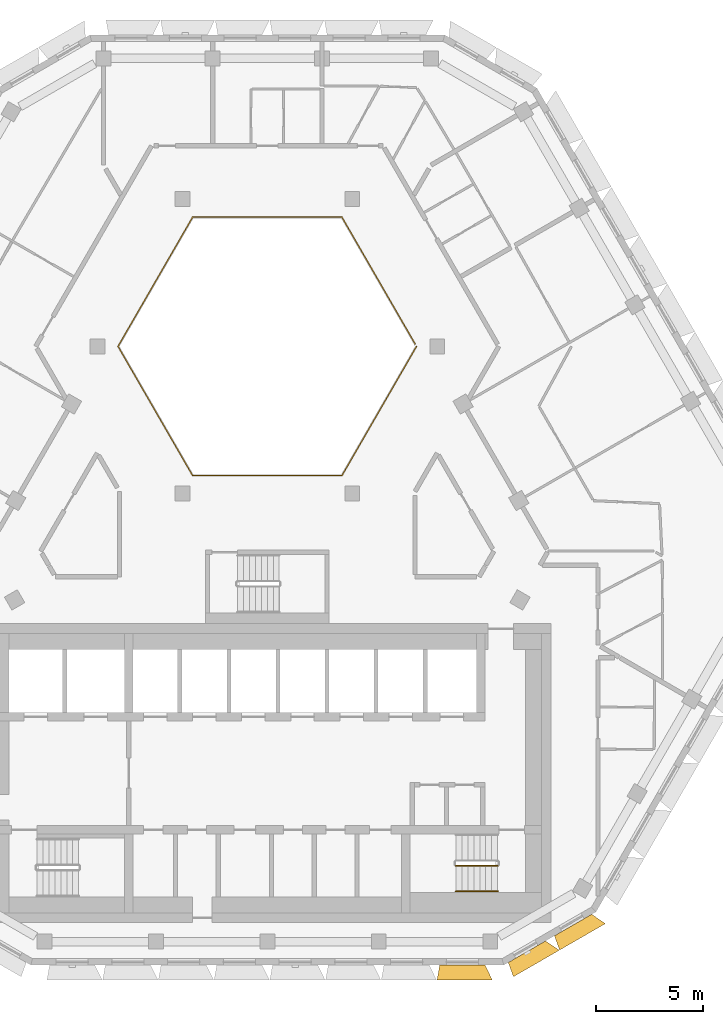
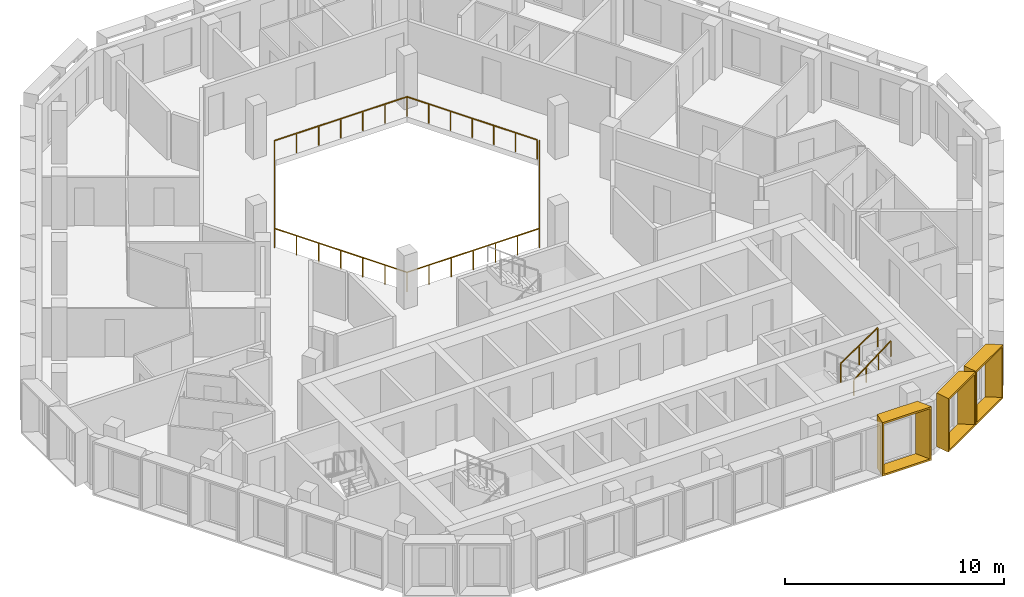
# One storey, part 14 of 16: 3 railings, 3 shading devices.
"""IFC4 building model written with IfcOpenShell, lengths in metres."""

from ifc_helpers import new_model, entity, si_unit, direction, frame, origin, origin_2d, place, context, subcontext, project, spatial, rectangle, extrude, source, transform, mapped, material, type_object, type_shapes, element, save


model = new_model("IFC4")

# Units and contexts
model_context = context("Model", 3, precision=1e-05, world=origin(), true_north=direction((0.0, 1.0)))
body_context = subcontext(model_context, "Body", "Model", "MODEL_VIEW")
ifc_project = project(units=[si_unit("LENGTHUNIT", "METRE"), si_unit("AREAUNIT", "SQUARE_METRE"), si_unit("VOLUMEUNIT", "CUBIC_METRE"), si_unit("PLANEANGLEUNIT", "RADIAN"), si_unit("MASSUNIT", "GRAM", prefix="KILO")], contexts=[model_context])

# Site, building, storey
site_placement = place(None, origin())
site = spatial("IfcSite", under=ifc_project, at=site_placement, CompositionType="ELEMENT")
building_placement = place(site_placement, origin())
building = spatial("IfcBuilding", under=site, at=building_placement, Name="Beryl Residences", CompositionType="ELEMENT")
storey_placement = place(building_placement, frame((0.0, 0.0, 226.800048828125)))
storey = spatial("IfcBuildingStorey", under=building, at=storey_placement, Name="L70", CompositionType="ELEMENT", Elevation=226.800048828125)

# Railing
ifc_material_1 = material(Name="Stainless steel balustrade with glass infill", Category="steel")
railing_type_1 = type_object("IfcRailingType", Name="EG1 edge guard 1100 mm", PredefinedType="GUARDRAIL", material=ifc_material_1)
railing_1_placement = place(storey_placement, frame((6.9970703125, 8.0, 0.0)))
element("IfcRailing", 1, at=railing_1_placement, inside=storey, type_object=railing_type_1, Name="L70 atrium guard", PredefinedType="GUARDRAIL", context=body_context, shape_type="SweptSolid", body=[
    extrude(rectangle(XDim=0.048095703125, YDim=0.048095703125, at=origin_2d()), frame((0.0, 0.0, 1.076171875), z_axis=(-0.499921796684, -0.866070549782, 0.0), x_axis=(0.866070549782, -0.499921796684, 0.0)), (0.0, 0.0, 1.0), 6.9970703125),
    extrude(rectangle(XDim=0.048095703125, YDim=0.048095703125, at=origin_2d()), frame((-3.498046875, -6.06005859375, 1.076171875), z_axis=(-1.0, 0.0, 0.0), x_axis=(0.0, -1.0, 0.0)), (0.0, 0.0, 1.0), 6.998046875),
    extrude(rectangle(XDim=0.048095703125, YDim=0.048095703125, at=origin_2d()), frame((-10.49609375, -6.06005859375, 1.076171875), z_axis=(-0.499921796684, 0.866070549782, 0.0), x_axis=(-0.866070549782, -0.499921796684, 0.0)), (0.0, 0.0, 1.0), 6.9970703125),
    extrude(rectangle(XDim=0.048095703125, YDim=0.048095703125, at=origin_2d()), frame((-13.994140625, 0.0, 1.076171875), z_axis=(0.499921796684, 0.866070549782, 0.0), x_axis=(-0.866070549782, 0.499921796684, 0.0)), (0.0, 0.0, 1.0), 6.9970703125),
    extrude(rectangle(XDim=0.048095703125, YDim=0.048095703125, at=origin_2d()), frame((-10.49609375, 6.06005859375, 1.076171875), z_axis=(1.0, 0.0, 0.0), x_axis=(0.0, 1.0, 0.0)), (0.0, 0.0, 1.0), 6.998046875),
    extrude(rectangle(XDim=0.048095703125, YDim=0.048095703125, at=origin_2d()), frame((-3.498046875, 6.06005859375, 1.076171875), z_axis=(0.499919131929, -0.866072087953, 0.0), x_axis=(0.866072087953, 0.499919131929, 0.0)), (0.0, 0.0, 1.0), 6.877197265625),
    extrude(rectangle(XDim=0.0419921875, YDim=0.0419921875, at=origin_2d()), origin(), (0.0, 0.0, 1.0), 1.052001953125),
    extrude(rectangle(XDim=0.0419921875, YDim=0.0419921875, at=origin_2d()), frame((-0.5830078125, -1.010009765625, 0.0)), (0.0, 0.0, 1.0), 1.052001953125),
    extrude(rectangle(XDim=0.0419921875, YDim=0.0419921875, at=origin_2d()), frame((-1.166015625, -2.02001953125, 0.0)), (0.0, 0.0, 1.0), 1.052001953125),
    extrude(rectangle(XDim=0.0419921875, YDim=0.0419921875, at=origin_2d()), frame((-1.7490234375, -3.030029296875, 0.0)), (0.0, 0.0, 1.0), 1.052001953125),
    extrude(rectangle(XDim=0.0419921875, YDim=0.0419921875, at=origin_2d()), frame((-2.33203125, -4.0400390625, 0.0)), (0.0, 0.0, 1.0), 1.052001953125),
    extrude(rectangle(XDim=0.0419921875, YDim=0.0419921875, at=origin_2d()), frame((-2.9150390625, -5.050048828125, 0.0)), (0.0, 0.0, 1.0), 1.052001953125),
    extrude(rectangle(XDim=0.0419921875, YDim=0.0419921875, at=origin_2d()), frame((-3.498046875, -6.06005859375, 0.0)), (0.0, 0.0, 1.0), 1.052001953125),
    extrude(rectangle(XDim=0.0419921875, YDim=0.0419921875, at=origin_2d()), frame((-4.664306640625, -6.06005859375, 0.0)), (0.0, 0.0, 1.0), 1.052001953125),
    extrude(rectangle(XDim=0.0419921875, YDim=0.0419921875, at=origin_2d()), frame((-5.830810546875, -6.06005859375, 0.0)), (0.0, 0.0, 1.0), 1.052001953125),
    extrude(rectangle(XDim=0.0419921875, YDim=0.0419921875, at=origin_2d()), frame((-6.9970703125, -6.06005859375, 0.0)), (0.0, 0.0, 1.0), 1.052001953125),
    extrude(rectangle(XDim=0.0419921875, YDim=0.0419921875, at=origin_2d()), frame((-8.163330078125, -6.06005859375, 0.0)), (0.0, 0.0, 1.0), 1.052001953125),
    extrude(rectangle(XDim=0.0419921875, YDim=0.0419921875, at=origin_2d()), frame((-9.329833984375, -6.06005859375, 0.0)), (0.0, 0.0, 1.0), 1.052001953125),
    extrude(rectangle(XDim=0.0419921875, YDim=0.0419921875, at=origin_2d()), frame((-10.49609375, -6.06005859375, 0.0)), (0.0, 0.0, 1.0), 1.052001953125),
    extrude(rectangle(XDim=0.0419921875, YDim=0.0419921875, at=origin_2d()), frame((-11.0791015625, -5.050048828125, 0.0)), (0.0, 0.0, 1.0), 1.052001953125),
    extrude(rectangle(XDim=0.0419921875, YDim=0.0419921875, at=origin_2d()), frame((-11.662109375, -4.0400390625, 0.0)), (0.0, 0.0, 1.0), 1.052001953125),
    extrude(rectangle(XDim=0.0419921875, YDim=0.0419921875, at=origin_2d()), frame((-12.2451171875, -3.030029296875, 0.0)), (0.0, 0.0, 1.0), 1.052001953125),
    extrude(rectangle(XDim=0.0419921875, YDim=0.0419921875, at=origin_2d()), frame((-12.828125, -2.02001953125, 0.0)), (0.0, 0.0, 1.0), 1.052001953125),
    extrude(rectangle(XDim=0.0419921875, YDim=0.0419921875, at=origin_2d()), frame((-13.4111328125, -1.010009765625, 0.0)), (0.0, 0.0, 1.0), 1.052001953125),
    extrude(rectangle(XDim=0.0419921875, YDim=0.0419921875, at=origin_2d()), frame((-13.994140625, 0.0, 0.0)), (0.0, 0.0, 1.0), 1.052001953125),
    extrude(rectangle(XDim=0.0419921875, YDim=0.0419921875, at=origin_2d()), frame((-13.4111328125, 1.010009765625, 0.0)), (0.0, 0.0, 1.0), 1.052001953125),
    extrude(rectangle(XDim=0.0419921875, YDim=0.0419921875, at=origin_2d()), frame((-12.828125, 2.02001953125, 0.0)), (0.0, 0.0, 1.0), 1.052001953125),
    extrude(rectangle(XDim=0.0419921875, YDim=0.0419921875, at=origin_2d()), frame((-12.2451171875, 3.030029296875, 0.0)), (0.0, 0.0, 1.0), 1.052001953125),
    extrude(rectangle(XDim=0.0419921875, YDim=0.0419921875, at=origin_2d()), frame((-11.662109375, 4.0400390625, 0.0)), (0.0, 0.0, 1.0), 1.052001953125),
    extrude(rectangle(XDim=0.0419921875, YDim=0.0419921875, at=origin_2d()), frame((-11.0791015625, 5.050048828125, 0.0)), (0.0, 0.0, 1.0), 1.052001953125),
    extrude(rectangle(XDim=0.0419921875, YDim=0.0419921875, at=origin_2d()), frame((-10.49609375, 6.06005859375, 0.0)), (0.0, 0.0, 1.0), 1.052001953125),
    extrude(rectangle(XDim=0.0419921875, YDim=0.0419921875, at=origin_2d()), frame((-9.329833984375, 6.06005859375, 0.0)), (0.0, 0.0, 1.0), 1.052001953125),
    extrude(rectangle(XDim=0.0419921875, YDim=0.0419921875, at=origin_2d()), frame((-8.163330078125, 6.06005859375, 0.0)), (0.0, 0.0, 1.0), 1.052001953125),
    extrude(rectangle(XDim=0.0419921875, YDim=0.0419921875, at=origin_2d()), frame((-6.9970703125, 6.06005859375, 0.0)), (0.0, 0.0, 1.0), 1.052001953125),
    extrude(rectangle(XDim=0.0419921875, YDim=0.0419921875, at=origin_2d()), frame((-5.830810546875, 6.06005859375, 0.0)), (0.0, 0.0, 1.0), 1.052001953125),
    extrude(rectangle(XDim=0.0419921875, YDim=0.0419921875, at=origin_2d()), frame((-4.664306640625, 6.06005859375, 0.0)), (0.0, 0.0, 1.0), 1.052001953125),
    extrude(rectangle(XDim=0.0419921875, YDim=0.0419921875, at=origin_2d()), frame((-3.498046875, 6.06005859375, 0.0)), (0.0, 0.0, 1.0), 1.052001953125),
    extrude(rectangle(XDim=0.0419921875, YDim=0.0419921875, at=origin_2d()), frame((-2.925048828125, 5.0673828125, 0.0)), (0.0, 0.0, 1.0), 1.052001953125),
    extrude(rectangle(XDim=0.0419921875, YDim=0.0419921875, at=origin_2d()), frame((-2.35205078125, 4.07470703125, 0.0)), (0.0, 0.0, 1.0), 1.052001953125),
    extrude(rectangle(XDim=0.0419921875, YDim=0.0419921875, at=origin_2d()), frame((-1.779052734375, 3.08203125, 0.0)), (0.0, 0.0, 1.0), 1.052001953125),
    extrude(rectangle(XDim=0.0419921875, YDim=0.0419921875, at=origin_2d()), frame((-1.2060546875, 2.08935546875, 0.0)), (0.0, 0.0, 1.0), 1.052001953125),
    extrude(rectangle(XDim=0.0419921875, YDim=0.0419921875, at=origin_2d()), frame((-0.633056640625, 1.0966796875, 0.0)), (0.0, 0.0, 1.0), 1.052001953125),
    extrude(rectangle(XDim=0.0419921875, YDim=0.0419921875, at=origin_2d()), frame((-0.06005859375, 0.10400390625, 0.0)), (0.0, 0.0, 1.0), 1.052001953125),
])

# Shading devices
ifc_material_2 = material(Name="Aluminium pale anodised", Category="aluminium")
shading_device_type_1 = type_object("IfcShadingDeviceType", Name="FR250-70C OUTER SKIN frame 700 mm deep, splay 10/26 deg, 2500 x 3000 mm cell", PredefinedType="USERDEFINED", material=ifc_material_2)
cartesian_point_1 = entity("IfcCartesianPoint", [-1.007568359375, 0.0])
cartesian_point_2 = entity("IfcCartesianPoint", [-0.92626953125, 0.10009765625])
cartesian_point_3 = entity("IfcCartesianPoint", [-1.130859375, 0.0])
cartesian_point_4 = entity("IfcCartesianPoint", [-1.0498046875, 0.10009765625])
shared_shape_1 = source(origin(), body_context, "Body", "SweptSolid", [
    entity("IfcExtrudedAreaSolidTapered", entity("IfcArbitraryProfileDefWithVoids", "AREA", None, entity("IfcPolyline", [cartesian_point_1, entity("IfcCartesianPoint", [1.007568359375, 0.0]), entity("IfcCartesianPoint", [1.007568359375, 3.0]), entity("IfcCartesianPoint", [-1.007568359375, 3.0]), cartesian_point_1]), [entity("IfcPolyline", [cartesian_point_2, entity("IfcCartesianPoint", [0.91845703125, 0.10009765625]), entity("IfcCartesianPoint", [0.91845703125, 2.89990234375]), entity("IfcCartesianPoint", [-0.92626953125, 2.89990234375]), cartesian_point_2])]), entity("IfcAxis2Placement3D", entity("IfcCartesianPoint", [0.0, 0.0, 0.0]), entity("IfcDirection", [0.0, 1.0, 0.0]), entity("IfcDirection", [-1.0, 0.0, 0.0])), entity("IfcDirection", [0.0, 0.0, 1.0]), 0.699951171875, entity("IfcArbitraryProfileDefWithVoids", "AREA", None, entity("IfcPolyline", [cartesian_point_3, entity("IfcCartesianPoint", [1.348876953125, 0.0]), entity("IfcCartesianPoint", [1.348876953125, 3.0]), entity("IfcCartesianPoint", [-1.130859375, 3.0]), cartesian_point_3]), [entity("IfcPolyline", [cartesian_point_4, entity("IfcCartesianPoint", [1.260009765625, 0.10009765625]), entity("IfcCartesianPoint", [1.260009765625, 2.89990234375]), entity("IfcCartesianPoint", [-1.0498046875, 2.89990234375]), cartesian_point_4])])),
])
type_shapes(shading_device_type_1, [shared_shape_1])
for number, where, z_axis, x_axis, name in (
    (2, (12.16796875, -20.375, 0.0), (0.0, 0.0, 1.0), (-0.866025403784, -0.5, 0.0), "FR250-70C frame L70 S-SE 1"),
    (3, (14.33203125, -19.125, 0.0), (0.0, 0.0, 1.0), (-0.866025403784, -0.5, 0.0), "FR250-70C frame L70 S-SE 2"),
):
    element("IfcShadingDevice", number, at=place(storey_placement, frame(where, z_axis=z_axis, x_axis=x_axis)), inside=storey, type_object=shading_device_type_1, Name=name, ObjectType="OUTER SKIN", PredefinedType="USERDEFINED", context=body_context, shape_type="MappedRepresentation", body=[
        mapped(shared_shape_1, transform((0.0, 0.0, 0.0))),
    ])
ifc_material_3 = material(Name="Aluminium pale anodised", Category="aluminium")
shading_device_type_2 = type_object("IfcShadingDeviceType", Name="FR261-70C OUTER SKIN frame 700 mm deep, splay 10/26 deg, 2610 x 3000 mm cell", PredefinedType="USERDEFINED", material=ifc_material_3)
cartesian_point_5 = entity("IfcCartesianPoint", [-1.0625, 0.0])
cartesian_point_6 = entity("IfcCartesianPoint", [-0.981201171875, 0.10009765625])
cartesian_point_7 = entity("IfcCartesianPoint", [-1.18603515625, 0.0])
cartesian_point_8 = entity("IfcCartesianPoint", [-1.104736328125, 0.10009765625])
shared_shape_2 = source(origin(), body_context, "Body", "SweptSolid", [
    entity("IfcExtrudedAreaSolidTapered", entity("IfcArbitraryProfileDefWithVoids", "AREA", None, entity("IfcPolyline", [cartesian_point_5, entity("IfcCartesianPoint", [1.0625, 0.0]), entity("IfcCartesianPoint", [1.0625, 3.0]), entity("IfcCartesianPoint", [-1.0625, 3.0]), cartesian_point_5]), [entity("IfcPolyline", [cartesian_point_6, entity("IfcCartesianPoint", [0.973388671875, 0.10009765625]), entity("IfcCartesianPoint", [0.973388671875, 2.89990234375]), entity("IfcCartesianPoint", [-0.981201171875, 2.89990234375]), cartesian_point_6])]), entity("IfcAxis2Placement3D", entity("IfcCartesianPoint", [0.0, 0.0, 0.0]), entity("IfcDirection", [0.0, 1.0, 0.0]), entity("IfcDirection", [-1.0, 0.0, 0.0])), entity("IfcDirection", [0.0, 0.0, 1.0]), 0.699951171875, entity("IfcArbitraryProfileDefWithVoids", "AREA", None, entity("IfcPolyline", [cartesian_point_7, entity("IfcCartesianPoint", [1.40380859375, 0.0]), entity("IfcCartesianPoint", [1.40380859375, 3.0]), entity("IfcCartesianPoint", [-1.18603515625, 3.0]), cartesian_point_7]), [entity("IfcPolyline", [cartesian_point_8, entity("IfcCartesianPoint", [1.31494140625, 0.10009765625]), entity("IfcCartesianPoint", [1.31494140625, 2.89990234375]), entity("IfcCartesianPoint", [-1.104736328125, 2.89990234375]), cartesian_point_8])])),
])
type_shapes(shading_device_type_2, [shared_shape_2])
shading_device_placement = place(storey_placement, frame((9.14404296875, -21.0, 0.0), z_axis=(0.0, 0.0, 1.0), x_axis=(-1.0, 0.0, 0.0)))
element("IfcShadingDevice", 4, at=shading_device_placement, inside=storey, type_object=shading_device_type_2, Name="FR261-70C frame L70 S 8", ObjectType="OUTER SKIN", PredefinedType="USERDEFINED", context=body_context, shape_type="MappedRepresentation", body=[
    mapped(shared_shape_2, transform((0.0, 0.0, 0.0))),
])

# Railings
ifc_material_4 = material(Name="Stainless steel balustrade with glass infill", Category="steel")
railing_type_2 = type_object("IfcRailingType", Name="SG1 stair guard 1100 mm", PredefinedType="GUARDRAIL", material=ifc_material_4)
railing_2_placement = place(storey_placement, frame((8.840087890625, -16.35009765625, 1.6875)))
element("IfcRailing", 5, at=railing_2_placement, inside=storey, type_object=railing_type_2, Name="L70 ST-3 stair guard 3", PredefinedType="GUARDRAIL", context=body_context, shape_type="SweptSolid", body=[
    extrude(rectangle(XDim=0.048095703125, YDim=0.048095703125, at=origin_2d()), frame((0.0, 0.0, 1.076171875), z_axis=(0.830902050051, 0.0, 0.556418712142), x_axis=(0.0, 1.0, 0.0)), (0.0, 0.0, 1.0), 2.35888671875),
    extrude(rectangle(XDim=0.0419921875, YDim=0.0419921875, at=origin_2d()), origin(), (0.0, 0.0, 1.0), 1.052001953125),
    extrude(rectangle(XDim=0.0419921875, YDim=0.0419921875, at=origin_2d()), frame((0.97998046875, 0.0, 0.65625)), (0.0, 0.0, 1.0), 1.052001953125),
    extrude(rectangle(XDim=0.0419921875, YDim=0.0419921875, at=origin_2d()), frame((1.9599609375, 0.0, 1.3125)), (0.0, 0.0, 1.0), 1.052001953125),
])
ifc_material_5 = material(Name="Stainless steel handrail", Category="steel")
railing_type_3 = type_object("IfcRailingType", Name="SRL1 stair handrail 900 mm", PredefinedType="HANDRAIL", material=ifc_material_5)
railing_3_placement = place(storey_placement, frame((8.840087890625, -17.550048828125, 1.6875)))
element("IfcRailing", 6, at=railing_3_placement, inside=storey, type_object=railing_type_3, Name="L70 ST-3 stair handrail 2", PredefinedType="HANDRAIL", context=body_context, shape_type="SweptSolid", body=[
    extrude(rectangle(XDim=0.048095703125, YDim=0.048095703125, at=origin_2d()), frame((0.0, 0.0, 0.8759765625), z_axis=(0.794121922505, 0.0, 0.607758481798), x_axis=(0.0, 1.0, 0.0)), (0.0, 0.0, 1.0), 2.468017578125),
    extrude(rectangle(XDim=0.0419921875, YDim=0.0419921875, at=origin_2d()), origin(), (0.0, 0.0, 1.0), 0.851806640625),
    extrude(rectangle(XDim=0.0419921875, YDim=0.0419921875, at=origin_2d()), frame((0.6533203125, 0.0, 0.5)), (0.0, 0.0, 1.0), 0.851806640625),
    extrude(rectangle(XDim=0.0419921875, YDim=0.0419921875, at=origin_2d()), frame((1.306640625, 0.0, 1.0)), (0.0, 0.0, 1.0), 0.851806640625),
    extrude(rectangle(XDim=0.0419921875, YDim=0.0419921875, at=origin_2d()), frame((1.9599609375, 0.0, 1.5)), (0.0, 0.0, 1.0), 0.851806640625),
])

save(model, "model.ifc")
